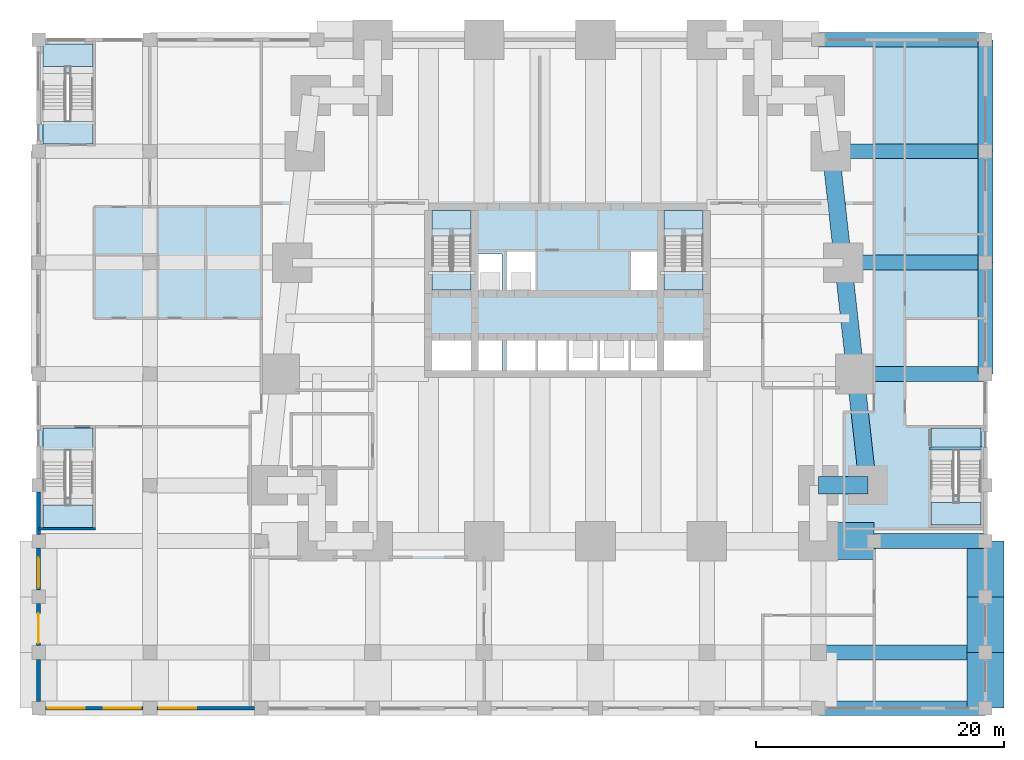
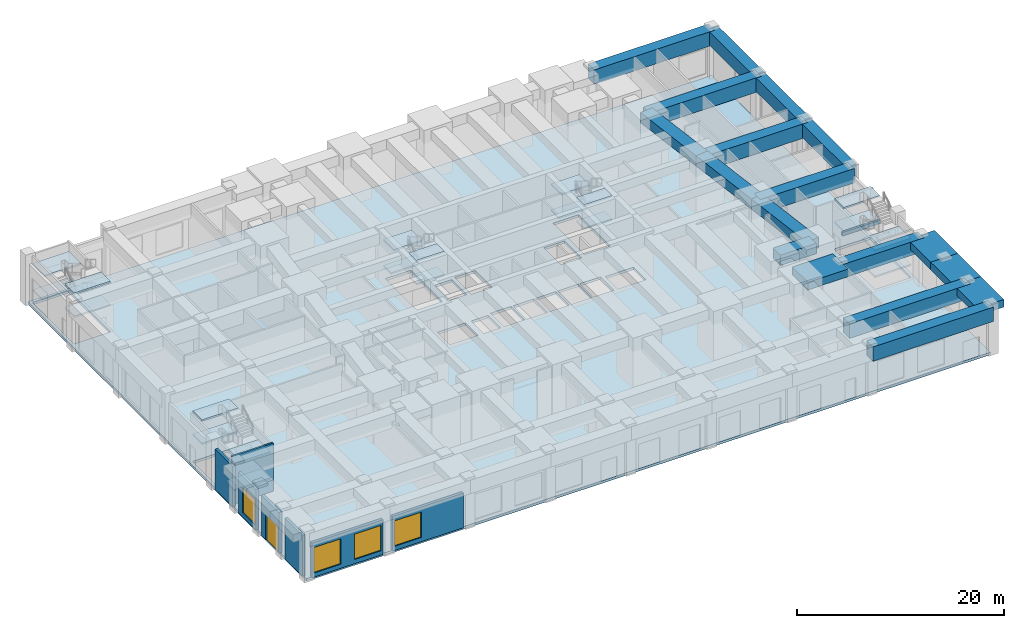
# One storey, part 2 of 13: 21 slabs, 19 beams, 7 walls, 4 windows, 1 door, 5 openings, 5 elements without a shape of their own.
"""IFC4 building model written with IfcOpenShell, lengths in metres."""

from ifc_helpers import new_model, si_unit, direction, frame, frame_2d, origin, origin_2d, place, context, subcontext, project, spatial, polyline, rectangle, outline, extrude, material, layer, layer_set, material_profile, profile_set, type_object, element, fill, aggregate, save


model = new_model("IFC4")

# Units and contexts
model_context = context("Model", 3, precision=1e-05, world=origin(), true_north=direction((0.0, 1.0)))
body_context = subcontext(model_context, "Body", "Model", "MODEL_VIEW")
ifc_project = project(units=[si_unit("LENGTHUNIT", "METRE"), si_unit("AREAUNIT", "SQUARE_METRE"), si_unit("VOLUMEUNIT", "CUBIC_METRE"), si_unit("PLANEANGLEUNIT", "RADIAN"), si_unit("MASSUNIT", "GRAM", prefix="KILO")], contexts=[model_context])

# Site, building, storey
site_placement = place(None, origin())
site = spatial("IfcSite", under=ifc_project, at=site_placement, CompositionType="ELEMENT")
building_placement = place(site_placement, origin())
building = spatial("IfcBuilding", under=site, at=building_placement, Name="Kilele Tower Hotel", CompositionType="ELEMENT")
storey_placement = place(building_placement, origin())
storey = spatial("IfcBuildingStorey", under=building, at=storey_placement, Name="L00", CompositionType="ELEMENT", Elevation=0.0)

# Beams
ifc_material_1 = material(Name="Concrete C60/75", Category="concrete")
ifc_material_profile_1 = material_profile(ifc_material_1, rectangle(XDim=1.199951171875, YDim=1.60009765625, at=origin_2d()))
ifc_profile_set_1 = profile_set([ifc_material_profile_1], Name="Concrete C60/75")
beam_type_1 = type_object("IfcBeamType", Name="Beam RC 1200x1600 C60/75", PredefinedType="BEAM", material=ifc_profile_set_1)
for number, where, z_axis, x_axis, name in (
    (1, (58.5, 13.5, 4.89990234375), (0.0, 1.0, 0.0), (-1.0, 0.0, 0.0), "Beam PB2 level L01"),
    (2, (58.5, 22.5, 4.89990234375), (0.0, 1.0, 0.0), (-1.0, 0.0, 0.0), "Beam PB2 level L01"),
    (3, (58.5, 31.5, 4.89990234375), (0.0, 1.0, 0.0), (-1.0, 0.0, 0.0), "Beam PB2 level L01"),
    (4, (49.5, 0.0, 4.89990234375), (1.0, 0.0, 0.0), (0.0, 1.0, 0.0), "Beam PB2 level L01"),
):
    element("IfcBeam", number, at=place(storey_placement, frame(where, z_axis=z_axis, x_axis=x_axis)), inside=storey, type_object=beam_type_1, Name=name, PredefinedType="BEAM", context=body_context, shape_type="SweptSolid", body=[
        extrude(rectangle(XDim=1.199951171875, YDim=1.60009765625, at=origin_2d()), origin(), (0.0, 0.0, 1.0), 9.0),
    ])
ifc_material_2 = material(Name="Concrete C60/75", Category="concrete")
ifc_material_profile_2 = material_profile(ifc_material_2, rectangle(XDim=1.199951171875, YDim=1.699951171875, at=origin_2d()))
ifc_profile_set_2 = profile_set([ifc_material_profile_2], Name="Concrete C60/75")
beam_type_2 = type_object("IfcBeamType", Name="Beam RC 1200x1700 C60/75", PredefinedType="BEAM", material=ifc_profile_set_2)
beam_1_placement = place(storey_placement, frame((46.0, 31.5, 4.85009765625), z_axis=(1.0, 0.0, 0.0), x_axis=(0.0, 1.0, 0.0)))
element("IfcBeam", 5, at=beam_1_placement, inside=storey, type_object=beam_type_2, Name="Beam PB3 level L01", PredefinedType="BEAM", context=body_context, shape_type="SweptSolid", body=[
    extrude(rectangle(XDim=1.199951171875, YDim=1.699951171875, at=origin_2d()), origin(), (0.0, 0.0, 1.0), 12.5),
])
for number, where, z_axis, x_axis, name in (
    (6, (45.0, -13.5, 4.85009765625), (1.0, 0.0, 0.0), (0.0, 1.0, 0.0), "Beam PB3 level L01"),
    (7, (45.0, -9.0, 4.85009765625), (1.0, 0.0, 0.0), (0.0, 1.0, 0.0), "Beam PB3 level L01"),
    (8, (45.0, 40.5, 4.85009765625), (1.0, 0.0, 0.0), (0.0, 1.0, 0.0), "Beam PB3 level L01"),
):
    element("IfcBeam", number, at=place(storey_placement, frame(where, z_axis=z_axis, x_axis=x_axis)), inside=storey, type_object=beam_type_2, Name=name, PredefinedType="BEAM", context=body_context, shape_type="SweptSolid", body=[
        extrude(rectangle(XDim=1.199951171875, YDim=1.699951171875, at=origin_2d()), origin(), (0.0, 0.0, 1.0), 13.5),
    ])
ifc_material_3 = material(Name="Concrete C60/75", Category="concrete")
ifc_material_profile_3 = material_profile(ifc_material_3, rectangle(XDim=1.199951171875, YDim=1.699951171875, at=origin_2d()))
ifc_profile_set_3 = profile_set([ifc_material_profile_3], Name="Concrete C60/75")
beam_type_3 = type_object("IfcBeamType", Name="Beam RC 1200x1700 C60/75 mid span", PredefinedType="BEAM", material=ifc_profile_set_3)
beam_2_placement = place(storey_placement, frame((48.0, 13.5, 4.85009765625), z_axis=(1.0, 0.0, 0.0), x_axis=(0.0, 1.0, 0.0)))
element("IfcBeam", 9, at=beam_2_placement, inside=storey, type_object=beam_type_3, Name="Beam PB4 level L01", PredefinedType="BEAM", context=body_context, shape_type="SweptSolid", body=[
    extrude(rectangle(XDim=1.199951171875, YDim=1.699951171875, at=origin_2d()), origin(), (0.0, 0.0, 1.0), 10.5),
])
beam_3_placement = place(storey_placement, frame((47.0, 22.5, 4.85009765625), z_axis=(1.0, 0.0, 0.0), x_axis=(0.0, 1.0, 0.0)))
element("IfcBeam", 10, at=beam_3_placement, inside=storey, type_object=beam_type_3, Name="Beam PB4 level L01", PredefinedType="BEAM", context=body_context, shape_type="SweptSolid", body=[
    extrude(rectangle(XDim=1.199951171875, YDim=1.699951171875, at=origin_2d()), origin(), (0.0, 0.0, 1.0), 11.5),
])
ifc_material_4 = material(Name="Concrete C60/75", Category="concrete")
ifc_material_profile_4 = material_profile(ifc_material_4, rectangle(XDim=3.0, YDim=0.89990234375, at=origin_2d()))
ifc_profile_set_4 = profile_set([ifc_material_profile_4], Name="Concrete C60/75")
beam_type_4 = type_object("IfcBeamType", Name="Beam RC 3000x900 C60/75", PredefinedType="BEAM", material=ifc_profile_set_4)
for number, where, z_axis, x_axis, name in (
    (11, (45.0, 0.0, 5.25), (1.0, 0.0, 0.0), (0.0, 1.0, 0.0), "Beam PB1 level L01"),
    (12, (58.5, -13.5, 5.25), (0.0, 1.0, 0.0), (-1.0, 0.0, 0.0), "Beam PB1 level L01"),
    (13, (58.5, -4.5, 5.25), (0.0, 1.0, 0.0), (-1.0, 0.0, 0.0), "Beam PB1 level L01"),
    (14, (58.5, -9.0, 5.25), (0.0, 1.0, 0.0), (-1.0, 0.0, 0.0), "Beam PB1 level L01"),
):
    element("IfcBeam", number, at=place(storey_placement, frame(where, z_axis=z_axis, x_axis=x_axis)), inside=storey, type_object=beam_type_4, Name=name, PredefinedType="BEAM", context=body_context, shape_type="SweptSolid", body=[
        extrude(rectangle(XDim=3.0, YDim=0.89990234375, at=origin_2d()), origin(), (0.0, 0.0, 1.0), 4.5),
    ])
ifc_material_5 = material(Name="Concrete C40/50", Category="concrete")
ifc_material_profile_5 = material_profile(ifc_material_5, rectangle(XDim=0.25, YDim=0.39990234375, at=origin_2d()))
ifc_profile_set_5 = profile_set([ifc_material_profile_5], Name="Concrete C40/50")
beam_type_5 = type_object("IfcBeamType", Name="Landing beam RC 250x400 C40/50", PredefinedType="BEAM", material=ifc_profile_set_5)
beam_4_placement = place(storey_placement, frame((54.0, 7.47509765625, 2.857177734375), z_axis=(1.0, 0.0, 0.0), x_axis=(0.0, 1.0, 0.0)))
element("IfcBeam", 15, at=beam_4_placement, inside=storey, type_object=beam_type_5, Name="Landing beam ST5 L00", PredefinedType="BEAM", context=body_context, shape_type="SweptSolid", body=[
    extrude(rectangle(XDim=0.25, YDim=0.39990234375, at=origin_2d()), origin(), (0.0, 0.0, 1.0), 4.25),
])
ifc_material_6 = material(Name="Concrete C60/75", Category="concrete")
ifc_material_profile_6 = material_profile(ifc_material_6, rectangle(XDim=1.39990234375, YDim=1.199951171875, at=origin_2d()))
ifc_profile_set_6 = profile_set([ifc_material_profile_6], Name="Concrete C60/75")
beam_type_6 = type_object("IfcBeamType", Name="Spandrel RC 1400x1200 C60/75", PredefinedType="SPANDREL", material=ifc_profile_set_6)
beam_5_placement = place(storey_placement, frame((45.0, 4.5, 5.10009765625), z_axis=(1.0, 0.0, 0.0), x_axis=(0.0, 1.0, 0.0)))
element("IfcBeam", 16, at=beam_5_placement, inside=storey, type_object=beam_type_6, Name="Spandrel SP10 level L01", PredefinedType="SPANDREL", context=body_context, shape_type="SweptSolid", body=[
    extrude(rectangle(XDim=1.39990234375, YDim=1.199951171875, at=origin_2d()), origin(), (0.0, 0.0, 1.0), 4.0),
])
for number, where, z_axis, x_axis, name in (
    (17, (49.0, 4.5, 5.10009765625), (-0.110431526075, 0.993883734674, 0.0), (-0.993883734674, -0.110431526075, 0.0), "Spandrel SP10 level L01"),
    (18, (48.0, 13.5, 5.10009765625), (-0.110431526075, 0.993883734674, 0.0), (-0.993883734674, -0.110431526075, 0.0), "Spandrel SP10 level L01"),
    (19, (47.0, 22.5, 5.10009765625), (-0.110431526075, 0.993883734674, 0.0), (-0.993883734674, -0.110431526075, 0.0), "Spandrel SP10 level L01"),
):
    element("IfcBeam", number, at=place(storey_placement, frame(where, z_axis=z_axis, x_axis=x_axis)), inside=storey, type_object=beam_type_6, Name=name, PredefinedType="SPANDREL", context=body_context, shape_type="SweptSolid", body=[
        extrude(rectangle(XDim=1.39990234375, YDim=1.199951171875, at=origin_2d()), origin(), (0.0, 0.0, 1.0), 9.055419921875),
    ])

# Slab
ifc_material_7 = material(Name="Concrete C60/75", Category="concrete")
ifc_layer_1 = layer(ifc_material_7, 0.300048828125)
ifc_layer_set_1 = layer_set([ifc_layer_1], Name="Concrete C60/75")
slab_type_1 = type_object("IfcSlabType", Name="Floor slab 300", PredefinedType="FLOOR", material=ifc_layer_set_1)
slab_1_placement = place(storey_placement, frame((0.0, 0.0, -0.300048828125)))
element("IfcSlab", 20, at=slab_1_placement, inside=storey, type_object=slab_type_1, Name="Floor slab L00", PredefinedType="FLOOR", context=body_context, shape_type="SweptSolid", body=[
    extrude(outline(polyline([(-18.0, -13.5), (-18.0, 40.5), (58.5, 40.5), (58.5, -13.5), (-18.0, -13.5)]), holes=[polyline([(-13.60009765625, 1.10009765625), (-13.60009765625, 9.14990234375), (-17.64990234375, 9.14990234375), (-17.64990234375, 1.10009765625), (-13.60009765625, 1.10009765625)]), polyline([(16.949951171875, 13.800048828125), (16.949951171875, 16.199951171875), (13.800048828125, 16.199951171875), (13.800048828125, 13.800048828125), (16.949951171875, 13.800048828125)]), polyline([(19.449951171875, 13.800048828125), (19.449951171875, 16.199951171875), (17.550048828125, 16.199951171875), (17.550048828125, 13.800048828125), (19.449951171875, 13.800048828125)]), polyline([(22.14990234375, 13.800048828125), (22.14990234375, 16.39990234375), (19.85009765625, 16.39990234375), (19.85009765625, 13.800048828125), (22.14990234375, 13.800048828125)]), polyline([(19.449951171875, 20.300048828125), (19.449951171875, 23.199951171875), (17.550048828125, 23.199951171875), (17.550048828125, 20.300048828125), (19.449951171875, 20.300048828125)]), polyline([(22.14990234375, 20.10009765625), (22.14990234375, 23.39990234375), (19.85009765625, 23.39990234375), (19.85009765625, 20.10009765625), (22.14990234375, 20.10009765625)]), polyline([(16.800048828125, 20.449951171875), (16.800048828125, 26.550048828125), (13.949951171875, 26.550048828125), (13.949951171875, 20.449951171875), (16.800048828125, 20.449951171875)]), polyline([(-13.60009765625, 32.10009765625), (-13.60009765625, 40.14990234375), (-17.64990234375, 40.14990234375), (-17.64990234375, 32.10009765625), (-13.60009765625, 32.10009765625)]), polyline([(58.14990234375, 1.300048828125), (58.14990234375, 9.14990234375), (54.10009765625, 9.14990234375), (54.10009765625, 1.300048828125), (58.14990234375, 1.300048828125)]), polyline([(35.699951171875, 13.800048828125), (35.699951171875, 16.199951171875), (32.550048828125, 16.199951171875), (32.550048828125, 13.800048828125), (35.699951171875, 13.800048828125)]), polyline([(24.64990234375, 13.800048828125), (24.64990234375, 16.39990234375), (22.35009765625, 16.39990234375), (22.35009765625, 13.800048828125), (24.64990234375, 13.800048828125)]), polyline([(27.14990234375, 13.800048828125), (27.14990234375, 16.39990234375), (24.85009765625, 16.39990234375), (24.85009765625, 13.800048828125), (27.14990234375, 13.800048828125)]), polyline([(29.64990234375, 13.800048828125), (29.64990234375, 16.39990234375), (27.35009765625, 16.39990234375), (27.35009765625, 13.800048828125), (29.64990234375, 13.800048828125)]), polyline([(32.14990234375, 13.800048828125), (32.14990234375, 16.39990234375), (29.85009765625, 16.39990234375), (29.85009765625, 13.800048828125), (32.14990234375, 13.800048828125)]), polyline([(32.14990234375, 20.10009765625), (32.14990234375, 23.39990234375), (29.85009765625, 23.39990234375), (29.85009765625, 20.10009765625), (32.14990234375, 20.10009765625)]), polyline([(35.550048828125, 20.449951171875), (35.550048828125, 26.550048828125), (32.699951171875, 26.550048828125), (32.699951171875, 20.449951171875), (35.550048828125, 20.449951171875)])]), origin(), (0.0, 0.0, 1.0), 0.300048828125),
])

# Stair, slabs
ifc_material_8 = material(Name="Precast concrete C40/50", Category="concrete")
stair_type_1 = type_object("IfcStairType", Name="Stair 1475 x 6000", PredefinedType="HALF_TURN_STAIR", material=ifc_material_8)
stair_1_placement = place(storey_placement, origin())
stair_1 = element("IfcStair", 21, at=stair_1_placement, inside=storey, type_object=stair_type_1, Name="Stair 1 L00", PredefinedType="HALF_TURN_STAIR")
ifc_material_9 = material(Name="Precast concrete C40/50", Category="concrete")
ifc_layer_2 = layer(ifc_material_9, 0.199951171875)
ifc_layer_set_2 = layer_set([ifc_layer_2], Name="Precast concrete C40/50")
slab_type_2 = type_object("IfcSlabType", Name="Stair landing 200", PredefinedType="LANDING", material=ifc_layer_set_2)
slab_2_placement = place(storey_placement, frame((0.0, 0.0, 1.343017578125)))
slab_2 = element("IfcSlab", 22, at=slab_2_placement, type_object=slab_type_2, Name="ST1 landing 1", PredefinedType="LANDING", context=body_context, shape_type="SweptSolid", body=[
    extrude(outline(polyline([(13.800048828125, 25.22509765625), (16.949951171875, 25.22509765625), (16.949951171875, 26.699951171875), (13.800048828125, 26.699951171875), (13.800048828125, 25.22509765625)])), origin(), (0.0, 0.0, 1.0), 0.199951171875),
])
slab_3_placement = place(storey_placement, frame((0.0, 0.0, 3.05712890625)))
slab_3 = element("IfcSlab", 23, at=slab_3_placement, type_object=slab_type_2, Name="ST1 landing 2", PredefinedType="LANDING", context=body_context, shape_type="SweptSolid", body=[
    extrude(outline(polyline([(13.800048828125, 20.300048828125), (16.949951171875, 20.300048828125), (16.949951171875, 21.77490234375), (13.800048828125, 21.77490234375), (13.800048828125, 20.300048828125)])), origin(), (0.0, 0.0, 1.0), 0.199951171875),
])
slab_4_placement = place(storey_placement, frame((0.0, 0.0, 4.4287109375)))
slab_4 = element("IfcSlab", 24, at=slab_4_placement, type_object=slab_type_2, Name="ST1 landing 3", PredefinedType="LANDING", context=body_context, shape_type="SweptSolid", body=[
    extrude(outline(polyline([(13.800048828125, 24.6650390625), (16.949951171875, 24.6650390625), (16.949951171875, 26.699951171875), (13.800048828125, 26.699951171875), (13.800048828125, 24.6650390625)])), origin(), (0.0, 0.0, 1.0), 0.199951171875),
])
slab_5_placement = place(storey_placement, frame((0.0, 0.0, 5.800048828125)))
slab_5 = element("IfcSlab", 25, at=slab_5_placement, type_object=slab_type_2, Name="ST1 landing 4", PredefinedType="LANDING", context=body_context, shape_type="SweptSolid", body=[
    extrude(outline(polyline([(13.800048828125, 20.300048828125), (16.949951171875, 20.300048828125), (16.949951171875, 21.77490234375), (13.800048828125, 21.77490234375), (13.800048828125, 20.300048828125)])), origin(), (0.0, 0.0, 1.0), 0.199951171875),
])
aggregate(stair_1, [slab_2, slab_3, slab_4, slab_5])

stair_2_placement = place(storey_placement, origin())
stair_2 = element("IfcStair", 26, at=stair_2_placement, inside=storey, type_object=stair_type_1, Name="Stair 2 L00", PredefinedType="HALF_TURN_STAIR")
slab_6_placement = place(storey_placement, frame((0.0, 0.0, 1.343017578125)))
slab_6 = element("IfcSlab", 27, at=slab_6_placement, type_object=slab_type_2, Name="ST2 landing 1", PredefinedType="LANDING", context=body_context, shape_type="SweptSolid", body=[
    extrude(outline(polyline([(32.550048828125, 25.22509765625), (35.699951171875, 25.22509765625), (35.699951171875, 26.699951171875), (32.550048828125, 26.699951171875), (32.550048828125, 25.22509765625)])), origin(), (0.0, 0.0, 1.0), 0.199951171875),
])
slab_7_placement = place(storey_placement, frame((0.0, 0.0, 3.05712890625)))
slab_7 = element("IfcSlab", 28, at=slab_7_placement, type_object=slab_type_2, Name="ST2 landing 2", PredefinedType="LANDING", context=body_context, shape_type="SweptSolid", body=[
    extrude(outline(polyline([(32.550048828125, 20.300048828125), (35.699951171875, 20.300048828125), (35.699951171875, 21.77490234375), (32.550048828125, 21.77490234375), (32.550048828125, 20.300048828125)])), origin(), (0.0, 0.0, 1.0), 0.199951171875),
])
slab_8_placement = place(storey_placement, frame((0.0, 0.0, 4.4287109375)))
slab_8 = element("IfcSlab", 29, at=slab_8_placement, type_object=slab_type_2, Name="ST2 landing 3", PredefinedType="LANDING", context=body_context, shape_type="SweptSolid", body=[
    extrude(outline(polyline([(32.550048828125, 24.6650390625), (35.699951171875, 24.6650390625), (35.699951171875, 26.699951171875), (32.550048828125, 26.699951171875), (32.550048828125, 24.6650390625)])), origin(), (0.0, 0.0, 1.0), 0.199951171875),
])
slab_9_placement = place(storey_placement, frame((0.0, 0.0, 5.800048828125)))
slab_9 = element("IfcSlab", 30, at=slab_9_placement, type_object=slab_type_2, Name="ST2 landing 4", PredefinedType="LANDING", context=body_context, shape_type="SweptSolid", body=[
    extrude(outline(polyline([(32.550048828125, 20.300048828125), (35.699951171875, 20.300048828125), (35.699951171875, 21.77490234375), (32.550048828125, 21.77490234375), (32.550048828125, 20.300048828125)])), origin(), (0.0, 0.0, 1.0), 0.199951171875),
])
aggregate(stair_2, [slab_6, slab_7, slab_8, slab_9])

ifc_material_10 = material(Name="Precast concrete C40/50", Category="concrete")
stair_type_2 = type_object("IfcStairType", Name="Stair 1800 x 6000", PredefinedType="HALF_TURN_STAIR", material=ifc_material_10)
stair_3_placement = place(storey_placement, origin())
stair_3 = element("IfcStair", 31, at=stair_3_placement, inside=storey, type_object=stair_type_2, Name="Stair 3 L00", PredefinedType="HALF_TURN_STAIR")
slab_10_placement = place(storey_placement, frame((0.0, 0.0, 1.343017578125)))
slab_10 = element("IfcSlab", 32, at=slab_10_placement, type_object=slab_type_2, Name="ST3 landing 1", PredefinedType="LANDING", context=body_context, shape_type="SweptSolid", body=[
    extrude(outline(polyline([(-17.64990234375, 38.35009765625), (-13.60009765625, 38.35009765625), (-13.60009765625, 40.14990234375), (-17.64990234375, 40.14990234375), (-17.64990234375, 38.35009765625)])), origin(), (0.0, 0.0, 1.0), 0.199951171875),
])
slab_11_placement = place(storey_placement, frame((0.0, 0.0, 3.05712890625)))
slab_11 = element("IfcSlab", 33, at=slab_11_placement, type_object=slab_type_2, Name="ST3 landing 2", PredefinedType="LANDING", context=body_context, shape_type="SweptSolid", body=[
    extrude(outline(polyline([(-17.64990234375, 32.10009765625), (-13.60009765625, 32.10009765625), (-13.60009765625, 33.89990234375), (-17.64990234375, 33.89990234375), (-17.64990234375, 32.10009765625)])), origin(), (0.0, 0.0, 1.0), 0.199951171875),
])
slab_12_placement = place(storey_placement, frame((0.0, 0.0, 4.4287109375)))
slab_12 = element("IfcSlab", 34, at=slab_12_placement, type_object=slab_type_2, Name="ST3 landing 3", PredefinedType="LANDING", context=body_context, shape_type="SweptSolid", body=[
    extrude(outline(polyline([(-17.64990234375, 37.7900390625), (-13.60009765625, 37.7900390625), (-13.60009765625, 40.14990234375), (-17.64990234375, 40.14990234375), (-17.64990234375, 37.7900390625)])), origin(), (0.0, 0.0, 1.0), 0.199951171875),
])
slab_13_placement = place(storey_placement, frame((0.0, 0.0, 5.800048828125)))
slab_13 = element("IfcSlab", 35, at=slab_13_placement, type_object=slab_type_2, Name="ST3 landing 4", PredefinedType="LANDING", context=body_context, shape_type="SweptSolid", body=[
    extrude(outline(polyline([(-17.64990234375, 32.10009765625), (-13.60009765625, 32.10009765625), (-13.60009765625, 33.89990234375), (-17.64990234375, 33.89990234375), (-17.64990234375, 32.10009765625)])), origin(), (0.0, 0.0, 1.0), 0.199951171875),
])
aggregate(stair_3, [slab_10, slab_11, slab_12, slab_13])

stair_4_placement = place(storey_placement, origin())
stair_4 = element("IfcStair", 36, at=stair_4_placement, inside=storey, type_object=stair_type_2, Name="Stair 4 L00", PredefinedType="HALF_TURN_STAIR")
slab_14_placement = place(storey_placement, frame((0.0, 0.0, 1.343017578125)))
slab_14 = element("IfcSlab", 37, at=slab_14_placement, type_object=slab_type_2, Name="ST4 landing 1", PredefinedType="LANDING", context=body_context, shape_type="SweptSolid", body=[
    extrude(outline(polyline([(-17.64990234375, 1.10009765625), (-13.60009765625, 1.10009765625), (-13.60009765625, 2.89990234375), (-17.64990234375, 2.89990234375), (-17.64990234375, 1.10009765625)])), origin(), (0.0, 0.0, 1.0), 0.199951171875),
])
slab_15_placement = place(storey_placement, frame((0.0, 0.0, 3.05712890625)))
slab_15 = element("IfcSlab", 38, at=slab_15_placement, type_object=slab_type_2, Name="ST4 landing 2", PredefinedType="LANDING", context=body_context, shape_type="SweptSolid", body=[
    extrude(outline(polyline([(-17.64990234375, 7.35009765625), (-13.60009765625, 7.35009765625), (-13.60009765625, 9.14990234375), (-17.64990234375, 9.14990234375), (-17.64990234375, 7.35009765625)])), origin(), (0.0, 0.0, 1.0), 0.199951171875),
])
slab_16_placement = place(storey_placement, frame((0.0, 0.0, 4.4287109375)))
slab_16 = element("IfcSlab", 39, at=slab_16_placement, type_object=slab_type_2, Name="ST4 landing 3", PredefinedType="LANDING", context=body_context, shape_type="SweptSolid", body=[
    extrude(outline(polyline([(-17.64990234375, 1.10009765625), (-13.60009765625, 1.10009765625), (-13.60009765625, 3.4599609375), (-17.64990234375, 3.4599609375), (-17.64990234375, 1.10009765625)])), origin(), (0.0, 0.0, 1.0), 0.199951171875),
])
slab_17_placement = place(storey_placement, frame((0.0, 0.0, 5.800048828125)))
slab_17 = element("IfcSlab", 40, at=slab_17_placement, type_object=slab_type_2, Name="ST4 landing 4", PredefinedType="LANDING", context=body_context, shape_type="SweptSolid", body=[
    extrude(outline(polyline([(-17.64990234375, 7.35009765625), (-13.60009765625, 7.35009765625), (-13.60009765625, 9.14990234375), (-17.64990234375, 9.14990234375), (-17.64990234375, 7.35009765625)])), origin(), (0.0, 0.0, 1.0), 0.199951171875),
])
aggregate(stair_4, [slab_14, slab_15, slab_16, slab_17])

stair_5_placement = place(storey_placement, origin())
stair_5 = element("IfcStair", 41, at=stair_5_placement, inside=storey, type_object=stair_type_2, Name="Stair 5 L00", PredefinedType="HALF_TURN_STAIR")
slab_18_placement = place(storey_placement, frame((0.0, 0.0, 1.343017578125)))
slab_18 = element("IfcSlab", 42, at=slab_18_placement, type_object=slab_type_2, Name="ST5 landing 1", PredefinedType="LANDING", context=body_context, shape_type="SweptSolid", body=[
    extrude(outline(polyline([(54.10009765625, 1.300048828125), (58.14990234375, 1.300048828125), (58.14990234375, 3.10009765625), (54.10009765625, 3.10009765625), (54.10009765625, 1.300048828125)])), origin(), (0.0, 0.0, 1.0), 0.199951171875),
])
slab_19_placement = place(storey_placement, frame((0.0, 0.0, 3.05712890625)))
slab_19 = element("IfcSlab", 43, at=slab_19_placement, type_object=slab_type_2, Name="ST5 landing 2", PredefinedType="LANDING", context=body_context, shape_type="SweptSolid", body=[
    extrude(outline(polyline([(54.10009765625, 7.35009765625), (58.14990234375, 7.35009765625), (58.14990234375, 9.14990234375), (54.10009765625, 9.14990234375), (54.10009765625, 7.35009765625)])), origin(), (0.0, 0.0, 1.0), 0.199951171875),
])
slab_20_placement = place(storey_placement, frame((0.0, 0.0, 4.4287109375)))
slab_20 = element("IfcSlab", 44, at=slab_20_placement, type_object=slab_type_2, Name="ST5 landing 3", PredefinedType="LANDING", context=body_context, shape_type="SweptSolid", body=[
    extrude(outline(polyline([(54.10009765625, 1.300048828125), (58.14990234375, 1.300048828125), (58.14990234375, 3.659912109375), (54.10009765625, 3.659912109375), (54.10009765625, 1.300048828125)])), origin(), (0.0, 0.0, 1.0), 0.199951171875),
])
slab_21_placement = place(storey_placement, frame((0.0, 0.0, 5.800048828125)))
slab_21 = element("IfcSlab", 45, at=slab_21_placement, type_object=slab_type_2, Name="ST5 landing 4", PredefinedType="LANDING", context=body_context, shape_type="SweptSolid", body=[
    extrude(outline(polyline([(54.10009765625, 7.35009765625), (58.14990234375, 7.35009765625), (58.14990234375, 9.14990234375), (54.10009765625, 9.14990234375), (54.10009765625, 7.35009765625)])), origin(), (0.0, 0.0, 1.0), 0.199951171875),
])
aggregate(stair_5, [slab_18, slab_19, slab_20, slab_21])

# Wall, openings, windows
ifc_material_11 = material(Name="Concrete C40/50 precast", Category="concrete")
ifc_layer_3 = layer(ifc_material_11, 0.260009765625, Name="Precast backing", Category="LoadBearing")
ifc_material_12 = material(Name="Reconstituted stone finish", Category="masonry")
ifc_layer_4 = layer(ifc_material_12, 0.0400390625, Name="Face mix", Category="Finish")
ifc_layer_set_3 = layer_set([ifc_layer_3, ifc_layer_4], Name="Precast concrete C40/50, reconstituted stone finish")
wall_type_1 = type_object("IfcWallType", Name="Precast stone facade wall 300", PredefinedType="STANDARD", material=ifc_layer_set_3)
wall_1_placement = place(storey_placement, frame((-17.449951171875, -13.5, 0.0), z_axis=(0.0, 0.0, 1.0), x_axis=(1.0, 0.0, 0.0)))
wall_1 = element("IfcWall", 46, at=wall_1_placement, inside=storey, type_object=wall_type_1, Name="Podium wall L00 S", PredefinedType="STANDARD", context=body_context, shape_type="SweptSolid", body=[
    extrude(rectangle(XDim=7.89990234375, YDim=0.300048828125, at=frame_2d((3.949951171875, 0.0))), origin(), (0.0, 0.0, 1.0), 4.10009765625),
])
opening_1_placement = place(wall_1_placement, frame((0.199951171875, 0.0, 0.5)))
opening_1 = element("IfcOpeningElement", 47, at=opening_1_placement, cuts=wall_1, Name="Opening W5", PredefinedType="OPENING", context=body_context, shape_type="SweptSolid", body=[
    extrude(rectangle(XDim=3.0, YDim=3.0, at=frame_2d((1.5, 1.5))), frame((0.0, 0.159912109375, 0.0), z_axis=(0.0, -1.0, 0.0), x_axis=(1.0, 0.0, 0.0)), (0.0, 0.0, 1.0), 0.320068359375),
])
opening_2_placement = place(wall_1_placement, frame((4.699951171875, 0.0, 0.5)))
opening_2 = element("IfcOpeningElement", 48, at=opening_2_placement, cuts=wall_1, Name="Opening W5", PredefinedType="OPENING", context=body_context, shape_type="SweptSolid", body=[
    extrude(rectangle(XDim=3.0, YDim=3.0, at=frame_2d((1.5, 1.5))), frame((0.0, 0.159912109375, 0.0), z_axis=(0.0, -1.0, 0.0), x_axis=(1.0, 0.0, 0.0)), (0.0, 0.0, 1.0), 0.320068359375),
])
ifc_material_13 = material(Name="Aluminium frame, clear double glazing", Category="aluminium")
window_type_1 = type_object("IfcWindowType", Name="Window W5 3000 x 3000", PartitioningType="SINGLE_PANEL", PredefinedType="WINDOW", material=ifc_material_13)
window_1_placement = place(opening_1_placement, origin())
window_1 = element("IfcWindow", 49, at=window_1_placement, inside=storey, type_object=window_type_1, Name="Shopfront window L00", OverallHeight=3.0, OverallWidth=3.0, PartitioningType="SINGLE_PANEL", PredefinedType="WINDOW", context=body_context, shape_type="SweptSolid", body=[
    extrude(rectangle(XDim=3.0, YDim=3.0, at=frame_2d((1.5, 1.5))), frame((0.0, 0.030029296875, 0.0), z_axis=(0.0, -1.0, 0.0), x_axis=(1.0, 0.0, 0.0)), (0.0, 0.0, 1.0), 0.06005859375),
])
fill(opening_1, window_1)
window_2_placement = place(opening_2_placement, origin())
window_2 = element("IfcWindow", 50, at=window_2_placement, inside=storey, type_object=window_type_1, Name="Shopfront window L00", OverallHeight=3.0, OverallWidth=3.0, PartitioningType="SINGLE_PANEL", PredefinedType="WINDOW", context=body_context, shape_type="SweptSolid", body=[
    extrude(rectangle(XDim=3.0, YDim=3.0, at=frame_2d((1.5, 1.5))), frame((0.0, 0.030029296875, 0.0), z_axis=(0.0, -1.0, 0.0), x_axis=(1.0, 0.0, 0.0)), (0.0, 0.0, 1.0), 0.06005859375),
])
fill(opening_2, window_2)

# Wall, opening, window
wall_2_placement = place(storey_placement, frame((-8.449951171875, -13.5, 0.0), z_axis=(0.0, 0.0, 1.0), x_axis=(1.0, 0.0, 0.0)))
wall_2 = element("IfcWall", 51, at=wall_2_placement, inside=storey, type_object=wall_type_1, Name="Podium wall L00 S", PredefinedType="STANDARD", context=body_context, shape_type="SweptSolid", body=[
    extrude(rectangle(XDim=7.89990234375, YDim=0.300048828125, at=frame_2d((3.949951171875, 0.0))), origin(), (0.0, 0.0, 1.0), 4.10009765625),
])
opening_3_placement = place(wall_2_placement, frame((0.199951171875, 0.0, 0.5)))
opening_3 = element("IfcOpeningElement", 52, at=opening_3_placement, cuts=wall_2, Name="Opening W5", PredefinedType="OPENING", context=body_context, shape_type="SweptSolid", body=[
    extrude(rectangle(XDim=3.0, YDim=3.0, at=frame_2d((1.5, 1.5))), frame((0.0, 0.159912109375, 0.0), z_axis=(0.0, -1.0, 0.0), x_axis=(1.0, 0.0, 0.0)), (0.0, 0.0, 1.0), 0.320068359375),
])
window_3_placement = place(opening_3_placement, origin())
window_3 = element("IfcWindow", 53, at=window_3_placement, inside=storey, type_object=window_type_1, Name="Shopfront window L00", OverallHeight=3.0, OverallWidth=3.0, PartitioningType="SINGLE_PANEL", PredefinedType="WINDOW", context=body_context, shape_type="SweptSolid", body=[
    extrude(rectangle(XDim=3.0, YDim=3.0, at=frame_2d((1.5, 1.5))), frame((0.0, 0.030029296875, 0.0), z_axis=(0.0, -1.0, 0.0), x_axis=(1.0, 0.0, 0.0)), (0.0, 0.0, 1.0), 0.06005859375),
])
fill(opening_3, window_3)

# Wall
wall_3_placement = place(storey_placement, frame((-18.0, 3.949951171875, 0.0), z_axis=(0.0, 0.0, 1.0), x_axis=(0.0, -1.0, 0.0)))
element("IfcWall", 54, at=wall_3_placement, inside=storey, type_object=wall_type_1, Name="Podium wall L00 W", PredefinedType="STANDARD", context=body_context, shape_type="SweptSolid", body=[
    extrude(rectangle(XDim=3.39990234375, YDim=0.300048828125, at=frame_2d((1.699951171875, 0.0))), origin(), (0.0, 0.0, 1.0), 4.800048828125),
])

# Wall, opening, window
wall_4_placement = place(storey_placement, frame((-18.0, -0.550048828125, 0.0), z_axis=(0.0, 0.0, 1.0), x_axis=(0.0, -1.0, 0.0)))
wall_4 = element("IfcWall", 55, at=wall_4_placement, inside=storey, type_object=wall_type_1, Name="Podium wall L00 W", PredefinedType="STANDARD", context=body_context, shape_type="SweptSolid", body=[
    extrude(rectangle(XDim=3.39990234375, YDim=0.300048828125, at=frame_2d((1.699951171875, 0.0))), origin(), (0.0, 0.0, 1.0), 4.800048828125),
])
opening_4_placement = place(wall_4_placement, frame((0.800048828125, 0.0, 0.5)))
opening_4 = element("IfcOpeningElement", 56, at=opening_4_placement, cuts=wall_4, Name="Opening W5", PredefinedType="OPENING", context=body_context, shape_type="SweptSolid", body=[
    extrude(rectangle(XDim=2.39990234375, YDim=3.0, at=frame_2d((1.199951171875, 1.5))), frame((0.0, 0.159912109375, 0.0), z_axis=(0.0, -1.0, 0.0), x_axis=(1.0, 0.0, 0.0)), (0.0, 0.0, 1.0), 0.320068359375),
])
ifc_material_14 = material(Name="Aluminium frame, clear double glazing", Category="aluminium")
window_type_2 = type_object("IfcWindowType", Name="Window W5 2400 x 3000", PartitioningType="SINGLE_PANEL", PredefinedType="WINDOW", material=ifc_material_14)
window_4_placement = place(opening_4_placement, origin())
window_4 = element("IfcWindow", 57, at=window_4_placement, inside=storey, type_object=window_type_2, Name="Shopfront window L00", OverallHeight=3.0, OverallWidth=2.39990234375, PartitioningType="SINGLE_PANEL", PredefinedType="WINDOW", context=body_context, shape_type="SweptSolid", body=[
    extrude(rectangle(XDim=2.39990234375, YDim=3.0, at=frame_2d((1.199951171875, 1.5))), frame((0.0, 0.030029296875, 0.0), z_axis=(0.0, -1.0, 0.0), x_axis=(1.0, 0.0, 0.0)), (0.0, 0.0, 1.0), 0.06005859375),
])
fill(opening_4, window_4)

# Wall, opening, door
wall_5_placement = place(storey_placement, frame((-18.0, -5.050048828125, 0.0), z_axis=(0.0, 0.0, 1.0), x_axis=(0.0, -1.0, 0.0)))
wall_5 = element("IfcWall", 58, at=wall_5_placement, inside=storey, type_object=wall_type_1, Name="Podium wall L00 W", PredefinedType="STANDARD", context=body_context, shape_type="SweptSolid", body=[
    extrude(rectangle(XDim=3.39990234375, YDim=0.300048828125, at=frame_2d((1.699951171875, 0.0))), origin(), (0.0, 0.0, 1.0), 4.800048828125),
])
opening_5_placement = place(wall_5_placement, frame((3.199951171875, 0.0, 0.0), z_axis=(0.0, 0.0, 1.0), x_axis=(-1.0, 0.0, 0.0)))
opening_5 = element("IfcOpeningElement", 59, at=opening_5_placement, cuts=wall_5, Name="Opening ED1", PredefinedType="OPENING", context=body_context, shape_type="SweptSolid", body=[
    extrude(rectangle(XDim=2.39990234375, YDim=3.0, at=frame_2d((1.199951171875, 1.5))), frame((0.0, 0.159912109375, 0.0), z_axis=(0.0, -1.0, 0.0), x_axis=(1.0, 0.0, 0.0)), (0.0, 0.0, 1.0), 0.320068359375),
])
ifc_material_15 = material(Name="Aluminium frame, clear glazing", Category="aluminium")
door_type = type_object("IfcDoorType", Name="Entrance door 2400", OperationType="DOUBLE_DOOR_SINGLE_SWING", PredefinedType="DOOR", material=ifc_material_15)
door_placement = place(opening_5_placement, origin())
door = element("IfcDoor", 60, at=door_placement, inside=storey, type_object=door_type, Name="Entrance door", OperationType="DOUBLE_DOOR_SINGLE_SWING", OverallHeight=3.0, OverallWidth=2.39990234375, PredefinedType="DOOR", context=body_context, shape_type="SweptSolid", body=[
    extrude(rectangle(XDim=2.39990234375, YDim=3.0, at=frame_2d((1.199951171875, 1.5))), frame((0.0, 0.02490234375, 0.0), z_axis=(0.0, -1.0, 0.0), x_axis=(1.0, 0.0, 0.0)), (0.0, 0.0, 1.0), 0.050048828125),
])
fill(opening_5, door)

# Walls
wall_6_placement = place(storey_placement, frame((-18.0, -9.550048828125, 0.0), z_axis=(0.0, 0.0, 1.0), x_axis=(0.0, -1.0, 0.0)))
element("IfcWall", 61, at=wall_6_placement, inside=storey, type_object=wall_type_1, Name="Podium wall L00 W", PredefinedType="STANDARD", context=body_context, shape_type="SweptSolid", body=[
    extrude(rectangle(XDim=3.39990234375, YDim=0.300048828125, at=frame_2d((1.699951171875, 0.0))), origin(), (0.0, 0.0, 1.0), 4.800048828125),
])
ifc_material_16 = material(Name="Concrete C40/50", Category="concrete")
ifc_layer_5 = layer(ifc_material_16, 0.199951171875)
ifc_layer_set_4 = layer_set([ifc_layer_5], Name="Concrete C40/50")
wall_type_2 = type_object("IfcWallType", Name="Stair wall RC 200 C40/50", PredefinedType="SOLIDWALL", material=ifc_layer_set_4)
wall_7_placement = place(storey_placement, frame((-18.0, 1.0, 0.0), z_axis=(0.0, 0.0, 1.0), x_axis=(1.0, 0.0, 0.0)))
element("IfcWall", 62, at=wall_7_placement, inside=storey, type_object=wall_type_2, Name="Stair wall RC 200 C40/50 L00", PredefinedType="SOLIDWALL", context=body_context, shape_type="SweptSolid", body=[
    extrude(rectangle(XDim=4.60009765625, YDim=0.199951171875, at=frame_2d((2.300048828125, 0.0))), origin(), (0.0, 0.0, 1.0), 5.699951171875),
])

save(model, "model.ifc")
